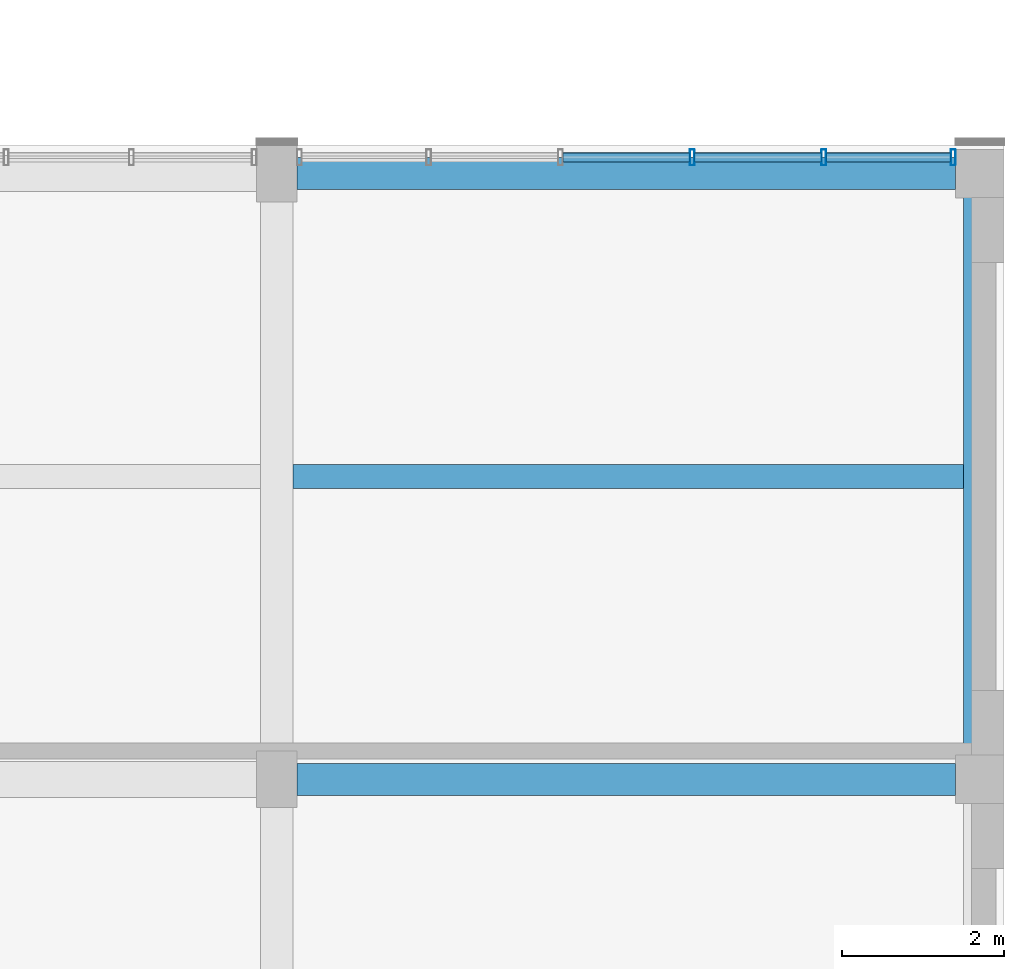
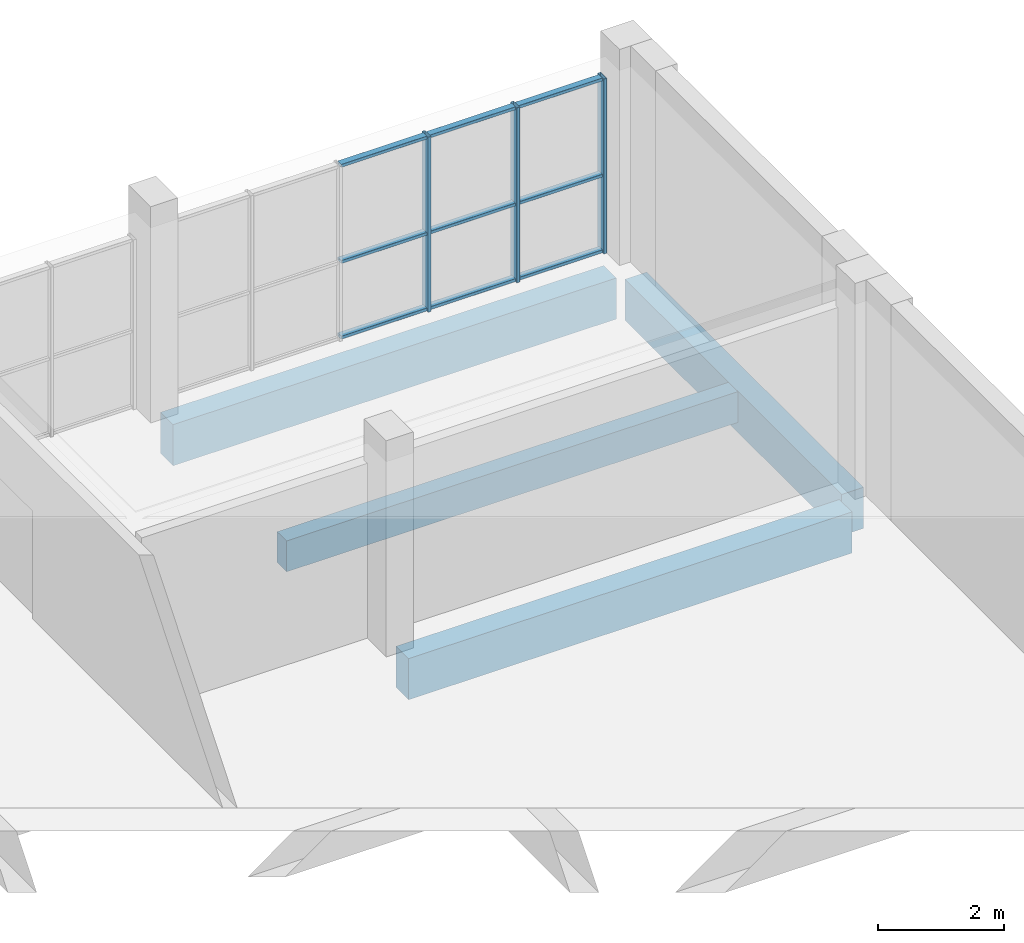
# One storey, part 15 of 36: 12 members, 4 beams, 1 element without a shape of its own.
"""IFC4 building model written with IfcOpenShell, lengths in metres."""

from ifc_helpers import new_model, si_unit, direction, frame, origin, origin_2d, place, context, subcontext, project, spatial, rectangle, hollow_rectangle, extrude, material, material_profile, profile_set, type_object, element, aggregate, save


model = new_model("IFC4")

# Units and contexts
model_context = context("Model", 3, precision=1e-05, world=origin(), true_north=direction((0.0, 1.0)))
body_context = subcontext(model_context, "Body", "Model", "MODEL_VIEW")
ifc_project = project(units=[si_unit("LENGTHUNIT", "METRE"), si_unit("AREAUNIT", "SQUARE_METRE"), si_unit("VOLUMEUNIT", "CUBIC_METRE"), si_unit("PLANEANGLEUNIT", "RADIAN"), si_unit("MASSUNIT", "GRAM", prefix="KILO")], contexts=[model_context])

# Site, building, storey
site_placement = place(None, origin())
site = spatial("IfcSite", under=ifc_project, at=site_placement, CompositionType="ELEMENT")
building_placement = place(site_placement, origin())
building = spatial("IfcBuilding", under=site, at=building_placement, Name="Sun Court Science Centre", CompositionType="ELEMENT")
storey_placement = place(building_placement, frame((0.0, 0.0, 24.75)))
storey = spatial("IfcBuildingStorey", under=building, at=storey_placement, Name="L05", CompositionType="ELEMENT", Elevation=24.75)

# Curtain wall, members
ifc_material_1 = material(Name="Aluminium EN AW-6063 T6", Category="aluminium")
curtain_wall_type = type_object("IfcCurtainWallType", Name="Laboratory tall bay curtain wall 1500", PredefinedType="NOTDEFINED", material=ifc_material_1)
curtain_wall_placement = place(storey_placement, origin())
curtain_wall = element("IfcCurtainWall", 1, at=curtain_wall_placement, inside=storey, type_object=curtain_wall_type, Name="Curtain wall V4 N L05 02", PredefinedType="NOTDEFINED")
ifc_material_2 = material(Name="Aluminium EN AW-6063 T6", Category="aluminium")
ifc_material_profile_1 = material_profile(ifc_material_2, hollow_rectangle(XDim=0.06005859375, YDim=0.199951171875, WallThickness=0.0048828125, InnerFilletRadius=0.0048828125, OuterFilletRadius=0.007568359375, at=origin_2d()), Name="AL 60x200x5")
ifc_profile_set_1 = profile_set([ifc_material_profile_1], Name="Aluminium EN AW-6063 T6")
member_type_1 = type_object("IfcMemberType", Name="Curtain wall mullion AL 60x200", PredefinedType="MULLION", material=ifc_profile_set_1)
member_1_placement = place(storey_placement, frame((100.139892578125, 80.85009765625, 0.0), z_axis=(0.0, 0.0, 1.0), x_axis=(1.0, 0.0, 0.0)))
member_1 = element("IfcMember", 2, at=member_1_placement, type_object=member_type_1, Name="CW2-77 mullion 4", PredefinedType="MULLION", context=body_context, shape_type="SweptSolid", body=[
    extrude(hollow_rectangle(XDim=0.06005859375, YDim=0.199951171875, WallThickness=0.0048828125, InnerFilletRadius=0.0048828125, OuterFilletRadius=0.007568359375, at=origin_2d()), origin(), (0.0, 0.0, 1.0), 3.39990234375),
])
member_2_placement = place(storey_placement, frame((101.77001953125, 80.85009765625, 0.0), z_axis=(0.0, 0.0, 1.0), x_axis=(1.0, 0.0, 0.0)))
member_2 = element("IfcMember", 3, at=member_2_placement, type_object=member_type_1, Name="CW2-77 mullion 5", PredefinedType="MULLION", context=body_context, shape_type="SweptSolid", body=[
    extrude(hollow_rectangle(XDim=0.06005859375, YDim=0.199951171875, WallThickness=0.0048828125, InnerFilletRadius=0.0048828125, OuterFilletRadius=0.007568359375, at=origin_2d()), origin(), (0.0, 0.0, 1.0), 3.39990234375),
])
member_3_placement = place(storey_placement, frame((103.3701171875, 80.85009765625, 0.0), z_axis=(0.0, 0.0, 1.0), x_axis=(1.0, 0.0, 0.0)))
member_3 = element("IfcMember", 4, at=member_3_placement, type_object=member_type_1, Name="CW2-77 mullion 6", PredefinedType="MULLION", context=body_context, shape_type="SweptSolid", body=[
    extrude(hollow_rectangle(XDim=0.06005859375, YDim=0.199951171875, WallThickness=0.0048828125, InnerFilletRadius=0.0048828125, OuterFilletRadius=0.007568359375, at=origin_2d()), origin(), (0.0, 0.0, 1.0), 3.39990234375),
])
ifc_material_3 = material(Name="Aluminium EN AW-6063 T6", Category="aluminium")
ifc_material_profile_2 = material_profile(ifc_material_3, hollow_rectangle(XDim=0.06005859375, YDim=0.1201171875, WallThickness=0.00390625, InnerFilletRadius=0.00390625, OuterFilletRadius=0.006103515625, at=origin_2d()), Name="AL 60x120x4")
ifc_profile_set_2 = profile_set([ifc_material_profile_2], Name="Aluminium EN AW-6063 T6")
member_type_2 = type_object("IfcMemberType", Name="Curtain wall transom AL 60x120", PredefinedType="USERDEFINED", material=ifc_profile_set_2)
member_4_placement = place(storey_placement, frame((98.5400390625, 80.85009765625, 0.030029296875), z_axis=(1.0, 0.0, 0.0), x_axis=(0.0, 0.0, 1.0)))
member_4 = element("IfcMember", 5, at=member_4_placement, type_object=member_type_2, Name="CW2-77 transom 3.1", ObjectType="TRANSOM", PredefinedType="USERDEFINED", context=body_context, shape_type="SweptSolid", body=[
    extrude(hollow_rectangle(XDim=0.06005859375, YDim=0.1201171875, WallThickness=0.00390625, InnerFilletRadius=0.00390625, OuterFilletRadius=0.006103515625, at=origin_2d()), origin(), (0.0, 0.0, 1.0), 1.570068359375),
])
member_5_placement = place(storey_placement, frame((100.169921875, 80.85009765625, 0.030029296875), z_axis=(1.0, 0.0, 0.0), x_axis=(0.0, 0.0, 1.0)))
member_5 = element("IfcMember", 6, at=member_5_placement, type_object=member_type_2, Name="CW2-77 transom 4.1", ObjectType="TRANSOM", PredefinedType="USERDEFINED", context=body_context, shape_type="SweptSolid", body=[
    extrude(hollow_rectangle(XDim=0.06005859375, YDim=0.1201171875, WallThickness=0.00390625, InnerFilletRadius=0.00390625, OuterFilletRadius=0.006103515625, at=origin_2d()), origin(), (0.0, 0.0, 1.0), 1.570068359375),
])
member_6_placement = place(storey_placement, frame((101.800048828125, 80.85009765625, 0.030029296875), z_axis=(1.0, 0.0, 0.0), x_axis=(0.0, 0.0, 1.0)))
member_6 = element("IfcMember", 7, at=member_6_placement, type_object=member_type_2, Name="CW2-77 transom 5.1", ObjectType="TRANSOM", PredefinedType="USERDEFINED", context=body_context, shape_type="SweptSolid", body=[
    extrude(hollow_rectangle(XDim=0.06005859375, YDim=0.1201171875, WallThickness=0.00390625, InnerFilletRadius=0.00390625, OuterFilletRadius=0.006103515625, at=origin_2d()), origin(), (0.0, 0.0, 1.0), 1.5400390625),
])
member_7_placement = place(storey_placement, frame((98.5400390625, 80.85009765625, 1.5), z_axis=(1.0, 0.0, 0.0), x_axis=(0.0, 0.0, 1.0)))
member_7 = element("IfcMember", 8, at=member_7_placement, type_object=member_type_2, Name="CW2-77 transom 3.2", ObjectType="TRANSOM", PredefinedType="USERDEFINED", context=body_context, shape_type="SweptSolid", body=[
    extrude(hollow_rectangle(XDim=0.06005859375, YDim=0.1201171875, WallThickness=0.00390625, InnerFilletRadius=0.00390625, OuterFilletRadius=0.006103515625, at=origin_2d()), origin(), (0.0, 0.0, 1.0), 1.570068359375),
])
member_8_placement = place(storey_placement, frame((100.169921875, 80.85009765625, 1.5), z_axis=(1.0, 0.0, 0.0), x_axis=(0.0, 0.0, 1.0)))
member_8 = element("IfcMember", 9, at=member_8_placement, type_object=member_type_2, Name="CW2-77 transom 4.2", ObjectType="TRANSOM", PredefinedType="USERDEFINED", context=body_context, shape_type="SweptSolid", body=[
    extrude(hollow_rectangle(XDim=0.06005859375, YDim=0.1201171875, WallThickness=0.00390625, InnerFilletRadius=0.00390625, OuterFilletRadius=0.006103515625, at=origin_2d()), origin(), (0.0, 0.0, 1.0), 1.570068359375),
])
member_9_placement = place(storey_placement, frame((101.800048828125, 80.85009765625, 1.5), z_axis=(1.0, 0.0, 0.0), x_axis=(0.0, 0.0, 1.0)))
member_9 = element("IfcMember", 10, at=member_9_placement, type_object=member_type_2, Name="CW2-77 transom 5.2", ObjectType="TRANSOM", PredefinedType="USERDEFINED", context=body_context, shape_type="SweptSolid", body=[
    extrude(hollow_rectangle(XDim=0.06005859375, YDim=0.1201171875, WallThickness=0.00390625, InnerFilletRadius=0.00390625, OuterFilletRadius=0.006103515625, at=origin_2d()), origin(), (0.0, 0.0, 1.0), 1.5400390625),
])
member_10_placement = place(storey_placement, frame((98.5400390625, 80.85009765625, 3.3701171875), z_axis=(1.0, 0.0, 0.0), x_axis=(0.0, 0.0, 1.0)))
member_10 = element("IfcMember", 11, at=member_10_placement, type_object=member_type_2, Name="CW2-77 transom 3.3", ObjectType="TRANSOM", PredefinedType="USERDEFINED", context=body_context, shape_type="SweptSolid", body=[
    extrude(hollow_rectangle(XDim=0.06005859375, YDim=0.1201171875, WallThickness=0.00390625, InnerFilletRadius=0.00390625, OuterFilletRadius=0.006103515625, at=origin_2d()), origin(), (0.0, 0.0, 1.0), 1.570068359375),
])
member_11_placement = place(storey_placement, frame((100.169921875, 80.85009765625, 3.3701171875), z_axis=(1.0, 0.0, 0.0), x_axis=(0.0, 0.0, 1.0)))
member_11 = element("IfcMember", 12, at=member_11_placement, type_object=member_type_2, Name="CW2-77 transom 4.3", ObjectType="TRANSOM", PredefinedType="USERDEFINED", context=body_context, shape_type="SweptSolid", body=[
    extrude(hollow_rectangle(XDim=0.06005859375, YDim=0.1201171875, WallThickness=0.00390625, InnerFilletRadius=0.00390625, OuterFilletRadius=0.006103515625, at=origin_2d()), origin(), (0.0, 0.0, 1.0), 1.570068359375),
])
member_12_placement = place(storey_placement, frame((101.800048828125, 80.85009765625, 3.3701171875), z_axis=(1.0, 0.0, 0.0), x_axis=(0.0, 0.0, 1.0)))
member_12 = element("IfcMember", 13, at=member_12_placement, type_object=member_type_2, Name="CW2-77 transom 5.3", ObjectType="TRANSOM", PredefinedType="USERDEFINED", context=body_context, shape_type="SweptSolid", body=[
    extrude(hollow_rectangle(XDim=0.06005859375, YDim=0.1201171875, WallThickness=0.00390625, InnerFilletRadius=0.00390625, OuterFilletRadius=0.006103515625, at=origin_2d()), origin(), (0.0, 0.0, 1.0), 1.5400390625),
])
aggregate(curtain_wall, [member_1, member_2, member_3, member_4, member_5, member_6, member_7, member_8, member_9, member_10, member_11, member_12])

# Beams
ifc_material_4 = material(Name="Concrete C25/30", Category="concrete")
ifc_material_profile_3 = material_profile(ifc_material_4, rectangle(XDim=0.39990234375, YDim=0.800048828125, at=origin_2d()), Name="RC 400x800")
ifc_profile_set_3 = profile_set([ifc_material_profile_3], Name="Concrete C25/30")
beam_type_1 = type_object("IfcBeamType", Name="RC girder 400x800", PredefinedType="BEAM", material=ifc_profile_set_3)
for number, where, z_axis, x_axis, name in (
    (14, (95.25, 73.14990234375, -0.699951171875), (1.0, 0.0, 0.0), (0.0, 1.0, 0.0), "Girder L05 row 7"),
    (15, (95.25, 80.64990234375, -0.699951171875), (1.0, 0.0, 0.0), (0.0, 1.0, 0.0), "Girder L05 row 8"),
):
    element("IfcBeam", number, at=place(storey_placement, frame(where, z_axis=z_axis, x_axis=x_axis)), inside=storey, type_object=beam_type_1, Name=name, PredefinedType="BEAM", context=body_context, shape_type="SweptSolid", body=[
        extrude(rectangle(XDim=0.39990234375, YDim=0.800048828125, at=origin_2d()), origin(), (0.0, 0.0, 1.0), 8.14990234375),
    ])
beam_1_placement = place(storey_placement, frame((103.699951171875, 73.449951171875, -0.699951171875), z_axis=(0.0, 1.0, 0.0), x_axis=(-1.0, 0.0, 0.0)))
element("IfcBeam", 16, at=beam_1_placement, inside=storey, type_object=beam_type_1, Name="Girder L05 line 4", PredefinedType="BEAM", context=body_context, shape_type="SweptSolid", body=[
    extrude(rectangle(XDim=0.39990234375, YDim=0.800048828125, at=origin_2d()), origin(), (0.0, 0.0, 1.0), 6.900146484375),
])
ifc_material_5 = material(Name="Concrete C25/30", Category="concrete")
ifc_material_profile_4 = material_profile(ifc_material_5, rectangle(XDim=0.300048828125, YDim=0.60009765625, at=origin_2d()), Name="RC 300x600")
ifc_profile_set_4 = profile_set([ifc_material_profile_4], Name="Concrete C25/30")
beam_type_2 = type_object("IfcBeamType", Name="RC joist 300x600", PredefinedType="JOIST", material=ifc_profile_set_4)
beam_2_placement = place(storey_placement, frame((95.199951171875, 76.89990234375, -0.60009765625), z_axis=(1.0, 0.0, 0.0), x_axis=(0.0, 1.0, 0.0)))
element("IfcBeam", 17, at=beam_2_placement, inside=storey, type_object=beam_type_2, Name="Joist L05", PredefinedType="JOIST", context=body_context, shape_type="SweptSolid", body=[
    extrude(rectangle(XDim=0.300048828125, YDim=0.60009765625, at=origin_2d()), origin(), (0.0, 0.0, 1.0), 8.300048828125),
])

save(model, "model.ifc")
